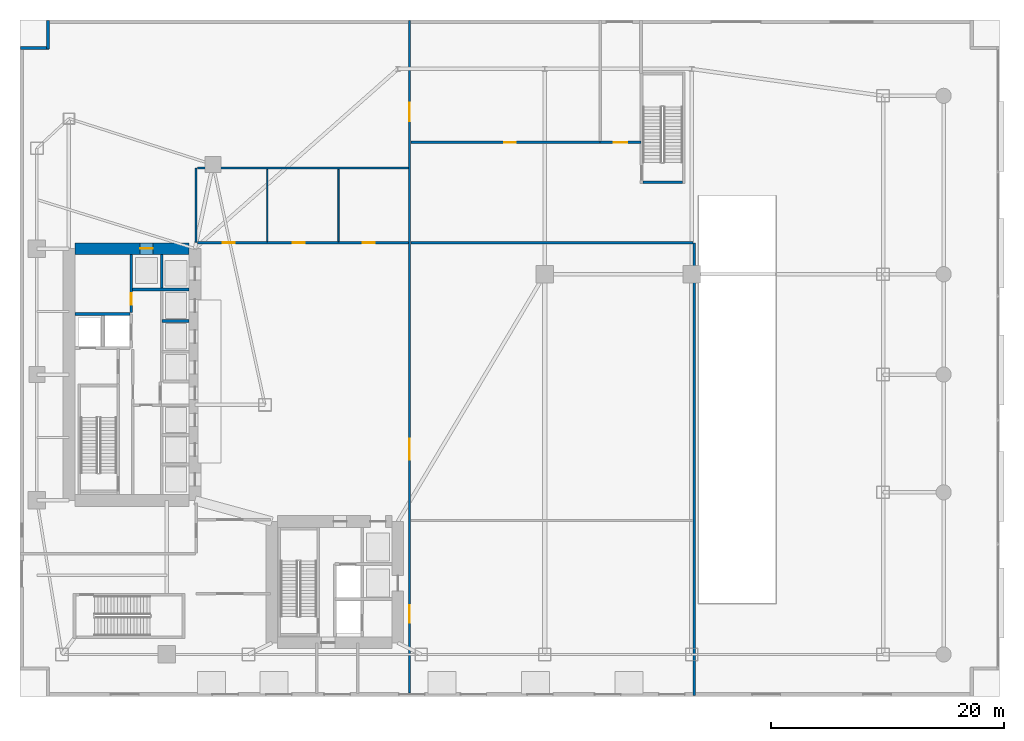
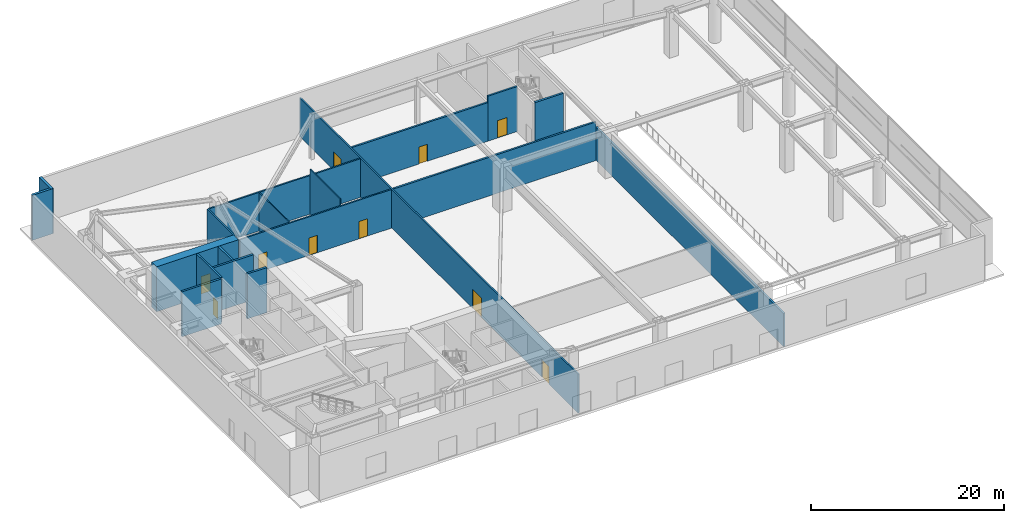
# One storey, part 14 of 20: 19 walls, 10 doors, 10 openings.
"""IFC4 building model written with IfcOpenShell, lengths in metres."""

from ifc_helpers import new_model, si_unit, direction, frame, frame_2d, origin, place, context, subcontext, project, spatial, rectangle, extrude, material, layer, layer_set, type_object, element, fill, save


model = new_model("IFC4")

# Units and contexts
model_context = context("Model", 3, precision=1e-05, world=origin(), true_north=direction((0.0, 1.0)))
body_context = subcontext(model_context, "Body", "Model", "MODEL_VIEW")
ifc_project = project(units=[si_unit("LENGTHUNIT", "METRE"), si_unit("AREAUNIT", "SQUARE_METRE"), si_unit("VOLUMEUNIT", "CUBIC_METRE"), si_unit("PLANEANGLEUNIT", "RADIAN"), si_unit("MASSUNIT", "GRAM", prefix="KILO")], contexts=[model_context])

# Site, building, storey
site_placement = place(None, origin())
site = spatial("IfcSite", under=ifc_project, at=site_placement, CompositionType="ELEMENT")
building_placement = place(site_placement, origin())
building = spatial("IfcBuilding", under=site, at=building_placement, Name="Calvorn Quay Hotel", CompositionType="ELEMENT")
storey_placement = place(building_placement, origin())
storey = spatial("IfcBuildingStorey", under=building, at=storey_placement, Name="L00", CompositionType="ELEMENT", Elevation=0.0)

# Wall, opening, door
ifc_material_1 = material(Name="Concrete C60", Category="concrete")
ifc_layer_1 = layer(ifc_material_1, 1.0)
ifc_layer_set_1 = layer_set([ifc_layer_1], Name="WL-CORE-1000")
wall_type_1 = type_object("IfcWallType", Name="WL-CORE-1000", PredefinedType="SHEAR", material=ifc_layer_set_1)
wall_1_placement = place(storey_placement, frame((4.699951171875, 38.39990234375, 0.0), z_axis=(0.0, 0.0, 1.0), x_axis=(1.0, 0.0, 0.0)))
wall_1 = element("IfcWall", 1, at=wall_1_placement, inside=storey, type_object=wall_type_1, Name="West Core Shear Wall N (L00)", PredefinedType="SHEAR", context=body_context, shape_type="SweptSolid", body=[
    extrude(rectangle(XDim=9.800048828125, YDim=1.0, at=frame_2d((4.89990234375, 0.0))), origin(), (0.0, 0.0, 1.0), 5.679931640625),
])
opening_1_placement = place(wall_1_placement, frame((5.60009765625, 0.0, 0.0)))
opening_1 = element("IfcOpeningElement", 2, at=opening_1_placement, cuts=wall_1, Name="Opening LD-L00-H2", PredefinedType="OPENING", context=body_context, shape_type="SweptSolid", body=[
    extrude(rectangle(XDim=1.10009765625, YDim=2.199951171875, at=frame_2d((0.550048828125, 1.10009765625))), frame((0.0, 0.510009765625, 0.0), z_axis=(0.0, -1.0, 0.0), x_axis=(1.0, 0.0, 0.0)), (0.0, 0.0, 1.0), 1.02001953125),
])
ifc_material_2 = material(Name="Brushed Stainless Steel Sliding Lift Landing Door", Category="steel")
door_type_1 = type_object("IfcDoorType", Name="DR-LIFT-PASS-1100", OperationType="NOTDEFINED", PredefinedType="DOOR", material=ifc_material_2)
door_1_placement = place(opening_1_placement, origin())
door_1 = element("IfcDoor", 3, at=door_1_placement, inside=storey, type_object=door_type_1, Name="High-Rise Lift PL-H2 Landing Door (L00)", OperationType="DOUBLE_DOOR_SLIDING", OverallHeight=2.199951171875, OverallWidth=1.10009765625, PredefinedType="DOOR", context=body_context, shape_type="SweptSolid", body=[
    extrude(rectangle(XDim=1.10009765625, YDim=2.199951171875, at=frame_2d((0.550048828125, 1.10009765625))), frame((0.0, 0.02490234375, 0.0), z_axis=(0.0, -1.0, 0.0), x_axis=(1.0, 0.0, 0.0)), (0.0, 0.0, 1.0), 0.050048828125),
])
fill(opening_1, door_1)

# Wall, openings, doors
ifc_material_3 = material(Name="Acoustic Fireboard Steel-Stud Partition", Category="steel")
ifc_layer_2 = layer(ifc_material_3, 0.179931640625)
ifc_layer_set_2 = layer_set([ifc_layer_2], Name="WL-CORR-FIRE-180")
wall_type_2 = type_object("IfcWallType", Name="WL-CORR-FIRE-180", PredefinedType="PARTITIONING", material=ifc_layer_set_2)
wall_2_placement = place(storey_placement, frame((15.199951171875, 38.89990234375, 0.0), z_axis=(0.0, 0.0, 1.0), x_axis=(1.0, 0.0, 0.0)))
wall_2 = element("IfcWall", 4, at=wall_2_placement, inside=storey, type_object=wall_type_2, Name="Partition Wall L00-WL-PWC-S", PredefinedType="PARTITIONING", context=body_context, shape_type="SweptSolid", body=[
    extrude(rectangle(XDim=18.10009765625, YDim=0.179931640625, at=frame_2d((9.050048828125, 0.0))), origin(), (0.0, 0.0, 1.0), 4.8798828125),
])
opening_2_placement = place(wall_2_placement, frame((2.199951171875, 0.0, 0.0)))
opening_2 = element("IfcOpeningElement", 5, at=opening_2_placement, cuts=wall_2, Name="Opening D-L00-WM", PredefinedType="OPENING", context=body_context, shape_type="SweptSolid", body=[
    extrude(rectangle(XDim=1.02001953125, YDim=2.199951171875, at=frame_2d((0.510009765625, 1.10009765625))), frame((0.0, 0.099853515625, 0.0), z_axis=(0.0, -1.0, 0.0), x_axis=(1.0, 0.0, 0.0)), (0.0, 0.0, 1.0), 0.199951171875),
])
opening_3_placement = place(wall_2_placement, frame((8.199951171875, 0.0, 0.0)))
opening_3 = element("IfcOpeningElement", 6, at=opening_3_placement, cuts=wall_2, Name="Opening D-L00-WF", PredefinedType="OPENING", context=body_context, shape_type="SweptSolid", body=[
    extrude(rectangle(XDim=1.02001953125, YDim=2.199951171875, at=frame_2d((0.510009765625, 1.10009765625))), frame((0.0, 0.099853515625, 0.0), z_axis=(0.0, -1.0, 0.0), x_axis=(1.0, 0.0, 0.0)), (0.0, 0.0, 1.0), 0.199951171875),
])
opening_4_placement = place(wall_2_placement, frame((14.199951171875, 0.0, 0.0)))
opening_4 = element("IfcOpeningElement", 7, at=opening_4_placement, cuts=wall_2, Name="Opening D-L00-WA", PredefinedType="OPENING", context=body_context, shape_type="SweptSolid", body=[
    extrude(rectangle(XDim=1.02001953125, YDim=2.199951171875, at=frame_2d((0.510009765625, 1.10009765625))), frame((0.0, 0.099853515625, 0.0), z_axis=(0.0, -1.0, 0.0), x_axis=(1.0, 0.0, 0.0)), (0.0, 0.0, 1.0), 0.199951171875),
])
ifc_material_4 = material(Name="Solid-Core Walnut Veneer Hotel Fire Door")
door_type_2 = type_object("IfcDoorType", Name="DR-GUEST-ENTRY-1020", OperationType="NOTDEFINED", PredefinedType="DOOR", material=ifc_material_4)
door_2_placement = place(opening_2_placement, origin())
door_2 = element("IfcDoor", 8, at=door_2_placement, inside=storey, type_object=door_type_2, Name="Male WC Door", OperationType="SINGLE_SWING_LEFT", OverallHeight=2.199951171875, OverallWidth=1.02001953125, PredefinedType="DOOR", context=body_context, shape_type="SweptSolid", body=[
    extrude(rectangle(XDim=1.02001953125, YDim=2.199951171875, at=frame_2d((0.510009765625, 1.10009765625))), frame((0.0, 0.02490234375, 0.0), z_axis=(0.0, -1.0, 0.0), x_axis=(1.0, 0.0, 0.0)), (0.0, 0.0, 1.0), 0.050048828125),
])
fill(opening_2, door_2)
door_3_placement = place(opening_3_placement, origin())
door_3 = element("IfcDoor", 9, at=door_3_placement, inside=storey, type_object=door_type_2, Name="Female WC Door", OperationType="SINGLE_SWING_RIGHT", OverallHeight=2.199951171875, OverallWidth=1.02001953125, PredefinedType="DOOR", context=body_context, shape_type="SweptSolid", body=[
    extrude(rectangle(XDim=1.02001953125, YDim=2.199951171875, at=frame_2d((0.510009765625, 1.10009765625))), frame((0.0, 0.02490234375, 0.0), z_axis=(0.0, -1.0, 0.0), x_axis=(1.0, 0.0, 0.0)), (0.0, 0.0, 1.0), 0.050048828125),
])
fill(opening_3, door_3)
door_4_placement = place(opening_4_placement, origin())
door_4 = element("IfcDoor", 10, at=door_4_placement, inside=storey, type_object=door_type_2, Name="Accessible WC Door", OperationType="SINGLE_SWING_LEFT", OverallHeight=2.199951171875, OverallWidth=1.02001953125, PredefinedType="DOOR", context=body_context, shape_type="SweptSolid", body=[
    extrude(rectangle(XDim=1.02001953125, YDim=2.199951171875, at=frame_2d((0.510009765625, 1.10009765625))), frame((0.0, 0.02490234375, 0.0), z_axis=(0.0, -1.0, 0.0), x_axis=(1.0, 0.0, 0.0)), (0.0, 0.0, 1.0), 0.050048828125),
])
fill(opening_4, door_4)

# Walls
wall_3_placement = place(storey_placement, frame((15.199951171875, 45.300048828125, 0.0), z_axis=(0.0, 0.0, 1.0), x_axis=(1.0, 0.0, 0.0)))
element("IfcWall", 11, at=wall_3_placement, inside=storey, type_object=wall_type_2, Name="Partition Wall L00-WL-PWC-N", PredefinedType="PARTITIONING", context=body_context, shape_type="SweptSolid", body=[
    extrude(rectangle(XDim=18.10009765625, YDim=0.179931640625, at=frame_2d((9.050048828125, 0.0))), origin(), (0.0, 0.0, 1.0), 4.8798828125),
])
wall_4_placement = place(storey_placement, frame((15.10009765625, 38.89990234375, 0.0), z_axis=(0.0, 0.0, 1.0), x_axis=(0.0, 1.0, 0.0)))
element("IfcWall", 12, at=wall_4_placement, inside=storey, type_object=wall_type_2, Name="Partition Wall L00-WL-PWC-W", PredefinedType="PARTITIONING", context=body_context, shape_type="SweptSolid", body=[
    extrude(rectangle(XDim=6.400146484375, YDim=0.179931640625, at=frame_2d((3.2001953125, 0.0))), origin(), (0.0, 0.0, 1.0), 4.8798828125),
])

# Wall, openings, doors
wall_5_placement = place(storey_placement, frame((33.39990234375, 0.300048828125, 0.0), z_axis=(0.0, 0.0, 1.0), x_axis=(0.0, 1.0, 0.0)))
wall_5 = element("IfcWall", 13, at=wall_5_placement, inside=storey, type_object=wall_type_2, Name="Partition Wall L00-WL-L00-MAIN-W", PredefinedType="PARTITIONING", context=body_context, shape_type="SweptSolid", body=[
    extrude(rectangle(XDim=57.639892578125, YDim=0.179931640625, at=frame_2d((28.81982421875, 0.0))), origin(), (0.0, 0.0, 1.0), 4.8798828125),
])
opening_5_placement = place(wall_5_placement, frame((6.0, 0.0, 0.0)))
opening_5 = element("IfcOpeningElement", 14, at=opening_5_placement, cuts=wall_5, Name="Opening D-L00-OB1", PredefinedType="OPENING", context=body_context, shape_type="SweptSolid", body=[
    extrude(rectangle(XDim=1.5, YDim=2.219970703125, at=frame_2d((0.75, 1.10986328125))), frame((0.0, 0.099853515625, 0.0), z_axis=(0.0, -1.0, 0.0), x_axis=(1.0, 0.0, 0.0)), (0.0, 0.0, 1.0), 0.199951171875),
])
opening_6_placement = place(wall_5_placement, frame((20.0, 0.0, 0.0)))
opening_6 = element("IfcOpeningElement", 15, at=opening_6_placement, cuts=wall_5, Name="Opening D-L00-CF1", PredefinedType="OPENING", context=body_context, shape_type="SweptSolid", body=[
    extrude(rectangle(XDim=1.800048828125, YDim=2.39990234375, at=frame_2d((0.89990234375, 1.199951171875))), frame((0.0, 0.099853515625, 0.0), z_axis=(0.0, -1.0, 0.0), x_axis=(1.0, 0.0, 0.0)), (0.0, 0.0, 1.0), 0.199951171875),
])
opening_7_placement = place(wall_5_placement, frame((49.0, 0.0, 0.0)))
opening_7 = element("IfcOpeningElement", 16, at=opening_7_placement, cuts=wall_5, Name="Opening D-L00-KT1", PredefinedType="OPENING", context=body_context, shape_type="SweptSolid", body=[
    extrude(rectangle(XDim=1.60009765625, YDim=2.35009765625, at=frame_2d((0.800048828125, 1.175048828125))), frame((0.0, 0.099853515625, 0.0), z_axis=(0.0, -1.0, 0.0), x_axis=(1.0, 0.0, 0.0)), (0.0, 0.0, 1.0), 0.199951171875),
])
ifc_material_5 = material(Name="Acoustic Hardwood Double Fire Door", Category="wood")
door_type_3 = type_object("IfcDoorType", Name="DR-BALLROOM-DBL-1800", OperationType="NOTDEFINED", PredefinedType="DOOR", material=ifc_material_5)
door_5_placement = place(opening_6_placement, origin())
door_5 = element("IfcDoor", 17, at=door_5_placement, inside=storey, type_object=door_type_3, Name="Harbour Cafe Entrance Door", OperationType="SINGLE_SWING_LEFT", OverallHeight=2.39990234375, OverallWidth=1.800048828125, PredefinedType="DOOR", context=body_context, shape_type="SweptSolid", body=[
    extrude(rectangle(XDim=1.800048828125, YDim=2.39990234375, at=frame_2d((0.89990234375, 1.199951171875))), frame((0.0, 0.02490234375, 0.0), z_axis=(0.0, -1.0, 0.0), x_axis=(1.0, 0.0, 0.0)), (0.0, 0.0, 1.0), 0.050048828125),
])
fill(opening_6, door_5)
ifc_material_6 = material(Name="Heavy-Duty Steel Acoustic Plant Fire Door", Category="steel")
door_type_4 = type_object("IfcDoorType", Name="DR-PLANT-DBL-1600", OperationType="NOTDEFINED", PredefinedType="DOOR", material=ifc_material_6)
door_6_placement = place(opening_7_placement, origin())
door_6 = element("IfcDoor", 18, at=door_6_placement, inside=storey, type_object=door_type_4, Name="Promenade Kitchen Door", OperationType="SINGLE_SWING_LEFT", OverallHeight=2.35009765625, OverallWidth=1.60009765625, PredefinedType="DOOR", context=body_context, shape_type="SweptSolid", body=[
    extrude(rectangle(XDim=1.60009765625, YDim=2.35009765625, at=frame_2d((0.800048828125, 1.175048828125))), frame((0.0, 0.02490234375, 0.0), z_axis=(0.0, -1.0, 0.0), x_axis=(1.0, 0.0, 0.0)), (0.0, 0.0, 1.0), 0.050048828125),
])
fill(opening_7, door_6)
ifc_material_7 = material(Name="Solid-Core Walnut Double Suite Entry Door")
door_type_5 = type_object("IfcDoorType", Name="DR-SUITE-DBL-1500", OperationType="NOTDEFINED", PredefinedType="DOOR", material=ifc_material_7)
door_7_placement = place(opening_5_placement, origin())
door_7 = element("IfcDoor", 19, at=door_7_placement, inside=storey, type_object=door_type_5, Name="Observation Lobby Door", OperationType="SINGLE_SWING_RIGHT", OverallHeight=2.219970703125, OverallWidth=1.5, PredefinedType="DOOR", context=body_context, shape_type="SweptSolid", body=[
    extrude(rectangle(XDim=1.5, YDim=2.219970703125, at=frame_2d((0.75, 1.10986328125))), frame((0.0, 0.02490234375, 0.0), z_axis=(0.0, -1.0, 0.0), x_axis=(1.0, 0.0, 0.0)), (0.0, 0.0, 1.0), 0.050048828125),
])
fill(opening_5, door_7)

# Walls
ifc_material_8 = material(Name="Moisture-Resistant Tile-Backed Partition")
ifc_layer_3 = layer(ifc_material_8, 0.125)
ifc_layer_set_3 = layer_set([ifc_layer_3], Name="WL-ENSUITE-125")
wall_type_3 = type_object("IfcWallType", Name="WL-ENSUITE-125", PredefinedType="PARTITIONING", material=ifc_layer_set_3)
wall_6_placement = place(storey_placement, frame((21.199951171875, 39.0, 0.0), z_axis=(0.0, 0.0, 1.0), x_axis=(0.0, 1.0, 0.0)))
element("IfcWall", 20, at=wall_6_placement, inside=storey, type_object=wall_type_3, Name="Partition Wall L00-WL-PWC-D1", PredefinedType="PARTITIONING", context=body_context, shape_type="SweptSolid", body=[
    extrude(rectangle(XDim=6.199951171875, YDim=0.125, at=frame_2d((3.10009765625, 0.0))), origin(), (0.0, 0.0, 1.0), 4.8798828125),
])
wall_7_placement = place(storey_placement, frame((27.300048828125, 39.0, 0.0), z_axis=(0.0, 0.0, 1.0), x_axis=(0.0, 1.0, 0.0)))
element("IfcWall", 21, at=wall_7_placement, inside=storey, type_object=wall_type_3, Name="Partition Wall L00-WL-PWC-D2", PredefinedType="PARTITIONING", context=body_context, shape_type="SweptSolid", body=[
    extrude(rectangle(XDim=6.199951171875, YDim=0.125, at=frame_2d((3.10009765625, 0.0))), origin(), (0.0, 0.0, 1.0), 5.679931640625),
])
ifc_material_9 = material(Name="Concrete C40", Category="concrete")
ifc_layer_4 = layer(ifc_material_9, 0.320068359375)
ifc_layer_set_4 = layer_set([ifc_layer_4], Name="WL-EXT-SPANDREL-320")
wall_type_4 = type_object("IfcWallType", Name="WL-EXT-SPANDREL-320", PredefinedType="SOLIDWALL", material=ifc_layer_set_4)
for number, where, z_axis, x_axis, name in (
    (22, (2.39990234375, 57.9599609375, 0.0), (0.0, 0.0, 1.0), (0.0, -1.0, 0.0), "Podium Notched Corner Wall L00-NW1"),
    (23, (2.5, 55.60009765625, 0.0), (0.0, 0.0, 1.0), (-1.0, 0.0, 0.0), "Podium Notched Corner Wall L00-NW2"),
):
    element("IfcWall", number, at=place(storey_placement, frame(where, z_axis=z_axis, x_axis=x_axis)), inside=storey, type_object=wall_type_4, Name=name, PredefinedType="SOLIDWALL", context=body_context, shape_type="SweptSolid", body=[
        extrude(rectangle(XDim=2.4599609375, YDim=0.280029296875, at=frame_2d((1.22998046875, 0.0))), origin(), (0.0, 0.0, 1.0), 5.679931640625),
    ])

# Wall, opening, door
ifc_material_10 = material(Name="Autoclaved Aerated Masonry Block", Category="masonry")
ifc_layer_5 = layer(ifc_material_10, 0.219970703125)
ifc_layer_set_5 = layer_set([ifc_layer_5], Name="WL-LOBBY-FIRE-220")
wall_type_5 = type_object("IfcWallType", Name="WL-LOBBY-FIRE-220", PredefinedType="SOLIDWALL", material=ifc_layer_set_5)
wall_8_placement = place(storey_placement, frame((9.5400390625, 32.919921875, 0.0), z_axis=(0.0, 0.0, 1.0), x_axis=(0.0, 1.0, 0.0)))
wall_8 = element("IfcWall", 24, at=wall_8_placement, inside=storey, type_object=wall_type_5, Name="Partition Wall L00-WL-CWW-K-E", PredefinedType="SOLIDWALL", context=body_context, shape_type="SweptSolid", body=[
    extrude(rectangle(XDim=4.9599609375, YDim=0.219970703125, at=frame_2d((2.47998046875, 0.0))), origin(), (0.0, 0.0, 1.0), 5.679931640625),
])
opening_8_placement = place(wall_8_placement, frame((0.64990234375, 0.0, 0.0)))
opening_8 = element("IfcOpeningElement", 25, at=opening_8_placement, cuts=wall_8, Name="Opening D-L00-CK1", PredefinedType="OPENING", context=body_context, shape_type="SweptSolid", body=[
    extrude(rectangle(XDim=0.97998046875, YDim=2.14990234375, at=frame_2d((0.489990234375, 1.074951171875))), frame((0.0, 0.119873046875, 0.0), z_axis=(0.0, -1.0, 0.0), x_axis=(1.0, 0.0, 0.0)), (0.0, 0.0, 1.0), 0.239990234375),
])
ifc_material_11 = material(Name="Painted Steel Housekeeping/Riser Fire Door", Category="steel")
door_type_6 = type_object("IfcDoorType", Name="DR-SERVICE-980", OperationType="NOTDEFINED", PredefinedType="DOOR", material=ifc_material_11)
door_8_placement = place(opening_8_placement, origin())
door_8 = element("IfcDoor", 26, at=door_8_placement, inside=storey, type_object=door_type_6, Name="Core Linen Room Door (L00)", OperationType="SINGLE_SWING_LEFT", OverallHeight=2.14990234375, OverallWidth=0.97998046875, PredefinedType="DOOR", context=body_context, shape_type="SweptSolid", body=[
    extrude(rectangle(XDim=0.97998046875, YDim=2.14990234375, at=frame_2d((0.489990234375, 1.074951171875))), frame((0.0, 0.02490234375, 0.0), z_axis=(0.0, -1.0, 0.0), x_axis=(1.0, 0.0, 0.0)), (0.0, 0.0, 1.0), 0.050048828125),
])
fill(opening_8, door_8)

wall_9_placement = place(storey_placement, frame((49.75, 47.5, 0.0), z_axis=(0.0, 0.0, 1.0), x_axis=(1.0, 0.0, 0.0)))
wall_9 = element("IfcWall", 27, at=wall_9_placement, inside=storey, type_object=wall_type_5, Name="Partition Wall L00-WL-L00-NE-EXS", PredefinedType="SOLIDWALL", context=body_context, shape_type="SweptSolid", body=[
    extrude(rectangle(XDim=3.5, YDim=0.219970703125, at=frame_2d((1.75, 0.0))), origin(), (0.0, 0.0, 1.0), 5.679931640625),
])
opening_9_placement = place(wall_9_placement, frame((1.14990234375, 0.0, 0.0)))
opening_9 = element("IfcOpeningElement", 28, at=opening_9_placement, cuts=wall_9, Name="Opening D-L00-NEX", PredefinedType="OPENING", context=body_context, shape_type="SweptSolid", body=[
    extrude(rectangle(XDim=1.14990234375, YDim=2.199951171875, at=frame_2d((0.574951171875, 1.10009765625))), frame((0.0, 0.119873046875, 0.0), z_axis=(0.0, -1.0, 0.0), x_axis=(1.0, 0.0, 0.0)), (0.0, 0.0, 1.0), 0.239990234375),
])
ifc_material_12 = material(Name="Galvanised Steel Class A Fire Door", Category="steel")
door_type_7 = type_object("IfcDoorType", Name="DR-STAIR-SMOKE-1150", OperationType="NOTDEFINED", PredefinedType="DOOR", material=ifc_material_12)
door_9_placement = place(opening_9_placement, origin())
door_9 = element("IfcDoor", 29, at=door_9_placement, inside=storey, type_object=door_type_7, Name="North-East Protected Exit Corridor Door", OperationType="SINGLE_SWING_LEFT", OverallHeight=2.199951171875, OverallWidth=1.14990234375, PredefinedType="DOOR", context=body_context, shape_type="SweptSolid", body=[
    extrude(rectangle(XDim=1.14990234375, YDim=2.199951171875, at=frame_2d((0.574951171875, 1.10009765625))), frame((0.0, 0.02490234375, 0.0), z_axis=(0.0, -1.0, 0.0), x_axis=(1.0, 0.0, 0.0)), (0.0, 0.0, 1.0), 0.050048828125),
])
fill(opening_9, door_9)

# Walls
wall_10_placement = place(storey_placement, frame((33.52001953125, 38.89990234375, 0.0), z_axis=(0.0, 0.0, 1.0), x_axis=(1.0, 0.0, 0.0)))
element("IfcWall", 30, at=wall_10_placement, inside=storey, type_object=wall_type_5, Name="Partition Wall L00-WL-L00-CAF-N", PredefinedType="SOLIDWALL", context=body_context, shape_type="SweptSolid", body=[
    extrude(rectangle(XDim=24.179931640625, YDim=0.219970703125, at=frame_2d((12.08984375, 0.0))), origin(), (0.0, 0.0, 1.0), 4.8798828125),
])
wall_11_placement = place(storey_placement, frame((57.800048828125, 0.06005859375, 0.0), z_axis=(0.0, 0.0, 1.0), x_axis=(0.0, 1.0, 0.0)))
element("IfcWall", 31, at=wall_11_placement, inside=storey, type_object=wall_type_5, Name="Partition Wall L00-WL-L00-CAF-E", PredefinedType="SOLIDWALL", context=body_context, shape_type="SweptSolid", body=[
    extrude(rectangle(XDim=38.83984375, YDim=0.219970703125, at=frame_2d((19.419921875, 0.0))), origin(), (0.0, 0.0, 1.0), 4.179931640625),
])

# Wall, opening, door
wall_12_placement = place(storey_placement, frame((33.52001953125, 47.5, 0.0), z_axis=(0.0, 0.0, 1.0), x_axis=(1.0, 0.0, 0.0)))
wall_12 = element("IfcWall", 32, at=wall_12_placement, inside=storey, type_object=wall_type_5, Name="Partition Wall L00-WL-L00-KIT-S", PredefinedType="SOLIDWALL", context=body_context, shape_type="SweptSolid", body=[
    extrude(rectangle(XDim=16.22998046875, YDim=0.219970703125, at=frame_2d((8.114990234375, 0.0))), origin(), (0.0, 0.0, 1.0), 4.8798828125),
])
opening_10_placement = place(wall_12_placement, frame((8.0, 0.0, 0.0)))
opening_10 = element("IfcOpeningElement", 33, at=opening_10_placement, cuts=wall_12, Name="Opening D-L00-KT2", PredefinedType="OPENING", context=body_context, shape_type="SweptSolid", body=[
    extrude(rectangle(XDim=0.97998046875, YDim=2.14990234375, at=frame_2d((0.489990234375, 1.074951171875))), frame((0.0, 0.119873046875, 0.0), z_axis=(0.0, -1.0, 0.0), x_axis=(1.0, 0.0, 0.0)), (0.0, 0.0, 1.0), 0.239990234375),
])
door_10_placement = place(opening_10_placement, origin())
door_10 = element("IfcDoor", 34, at=door_10_placement, inside=storey, type_object=door_type_6, Name="Kitchen Corridor Door", OperationType="SINGLE_SWING_RIGHT", OverallHeight=2.14990234375, OverallWidth=0.97998046875, PredefinedType="DOOR", context=body_context, shape_type="SweptSolid", body=[
    extrude(rectangle(XDim=0.97998046875, YDim=2.14990234375, at=frame_2d((0.489990234375, 1.074951171875))), frame((0.0, 0.02490234375, 0.0), z_axis=(0.0, -1.0, 0.0), x_axis=(1.0, 0.0, 0.0)), (0.0, 0.0, 1.0), 0.050048828125),
])
fill(opening_10, door_10)

# Walls
ifc_material_13 = material(Name="Concrete C40", Category="concrete")
ifc_layer_6 = layer(ifc_material_13, 0.239990234375)
ifc_layer_set_6 = layer_set([ifc_layer_6], Name="WL-SHAFT-240")
wall_type_6 = type_object("IfcWallType", Name="WL-SHAFT-240", PredefinedType="SOLIDWALL", material=ifc_layer_set_6)
wall_13_placement = place(storey_placement, frame((53.39990234375, 44.080078125, 0.0), z_axis=(0.0, 0.0, 1.0), x_axis=(1.0, 0.0, 0.0)))
element("IfcWall", 35, at=wall_13_placement, inside=storey, type_object=wall_type_6, Name="Stair STP1 Shaft Wall S (L00)", PredefinedType="SOLIDWALL", context=body_context, shape_type="SweptSolid", body=[
    extrude(rectangle(XDim=3.400146484375, YDim=0.239990234375, at=frame_2d((1.7001953125, 0.0))), origin(), (0.0, 0.0, 1.0), 5.679931640625),
])
wall_14_placement = place(storey_placement, frame((12.179931640625, 32.199951171875, 0.0), z_axis=(0.0, 0.0, 1.0), x_axis=(1.0, 0.0, 0.0)))
element("IfcWall", 36, at=wall_14_placement, inside=storey, type_object=wall_type_6, Name="Lift Hoistway Divider Wall PLM23 (L00)", PredefinedType="SOLIDWALL", context=body_context, shape_type="SweptSolid", body=[
    extrude(rectangle(XDim=2.320068359375, YDim=0.239990234375, at=frame_2d((1.16015625, 0.0))), origin(), (0.0, 0.0, 1.0), 5.679931640625),
])
wall_15_placement = place(storey_placement, frame((4.719970703125, 32.780029296875, 0.0), z_axis=(0.0, 0.0, 1.0), x_axis=(1.0, 0.0, 0.0)))
element("IfcWall", 37, at=wall_15_placement, inside=storey, type_object=wall_type_6, Name="Partition Wall L00-WL-CWW-SLW-N", PredefinedType="SOLIDWALL", context=body_context, shape_type="SweptSolid", body=[
    extrude(rectangle(XDim=4.699951171875, YDim=0.239990234375, at=frame_2d((2.35009765625, 0.0))), origin(), (0.0, 0.0, 1.0), 5.679931640625),
])
wall_16_placement = place(storey_placement, frame((9.659912109375, 34.89990234375, 0.0), z_axis=(0.0, 0.0, 1.0), x_axis=(1.0, 0.0, 0.0)))
element("IfcWall", 38, at=wall_16_placement, inside=storey, type_object=wall_type_6, Name="Partition Wall L00-WL-CWW-PLH-S", PredefinedType="SOLIDWALL", context=body_context, shape_type="SweptSolid", body=[
    extrude(rectangle(XDim=4.820068359375, YDim=0.239990234375, at=frame_2d((2.41015625, 0.0))), origin(), (0.0, 0.0, 1.0), 5.679931640625),
])
wall_17_placement = place(storey_placement, frame((12.14990234375, 35.02001953125, 0.0), z_axis=(0.0, 0.0, 1.0), x_axis=(0.0, 1.0, 0.0)))
element("IfcWall", 39, at=wall_17_placement, inside=storey, type_object=wall_type_6, Name="Partition Wall L00-WL-CWW-PLH-DIV", PredefinedType="SOLIDWALL", context=body_context, shape_type="SweptSolid", body=[
    extrude(rectangle(XDim=2.85986328125, YDim=0.239990234375, at=frame_2d((1.429931640625, 0.0))), origin(), (0.0, 0.0, 1.0), 5.679931640625),
])

save(model, "model.ifc")
